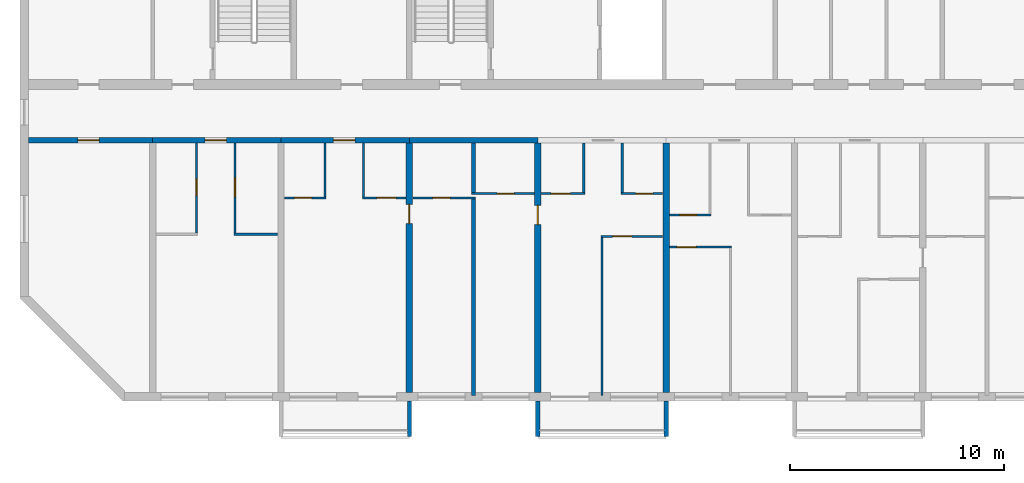
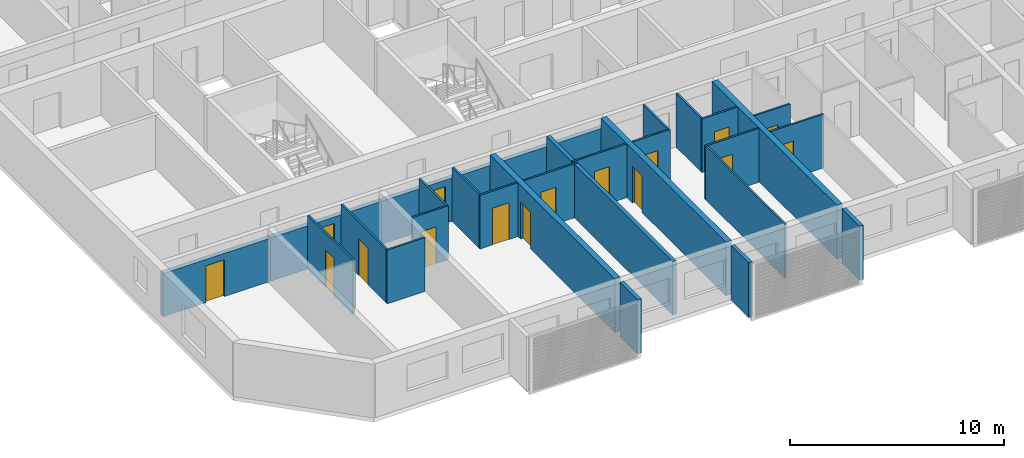
# One storey, part 2 of 33: 29 walls, 16 doors, 16 openings.
"""IFC4 building model written with IfcOpenShell, lengths in metres."""

from ifc_helpers import new_model, si_unit, direction, frame, frame_2d, origin, place, context, subcontext, project, spatial, polyline, rectangle, outline, extrude, source, transform, mapped, material, layer, layer_set, type_object, element, fill, save


model = new_model("IFC4")

# Units and contexts
model_context = context("Model", 3, precision=1e-05, world=origin(), true_north=direction((0.0, 1.0)))
body_context = subcontext(model_context, "Body", "Model", "MODEL_VIEW")
ifc_project = project(units=[si_unit("LENGTHUNIT", "METRE"), si_unit("AREAUNIT", "SQUARE_METRE"), si_unit("VOLUMEUNIT", "CUBIC_METRE"), si_unit("PLANEANGLEUNIT", "RADIAN"), si_unit("MASSUNIT", "GRAM", prefix="KILO")], contexts=[model_context])

# Site, building, storey
site_placement = place(None, origin())
site = spatial("IfcSite", under=ifc_project, at=site_placement, CompositionType="ELEMENT")
building_placement = place(site_placement, origin())
building = spatial("IfcBuilding", under=site, at=building_placement, Name="Poui Terraces", CompositionType="ELEMENT")
storey_placement = place(building_placement, frame((0.0, 0.0, 132.300048828125)))
storey = spatial("IfcBuildingStorey", under=building, at=storey_placement, Name="L36", CompositionType="ELEMENT", Elevation=132.300048828125)

# Wall, opening, door
ifc_material_1 = material(Name="Concrete 65 MPa", Category="concrete")
ifc_layer_1 = layer(ifc_material_1, 0.25)
ifc_layer_set_1 = layer_set([ifc_layer_1], Name="Concrete 65 MPa")
wall_type_1 = type_object("IfcWallType", Name="CORRIDOR WALL 250 65MPa", PredefinedType="SHEAR", material=ifc_layer_set_1)
wall_1_placement = place(storey_placement, frame((12.199951171875, 12.0, 0.0), z_axis=(0.0, 0.0, 1.0), x_axis=(1.0, 0.0, 0.0)))
wall_1 = element("IfcWall", 1, at=wall_1_placement, inside=storey, type_object=wall_type_1, Name="CORRIDOR WALL LINE B BAY 1", PredefinedType="SHEAR", context=body_context, shape_type="SweptSolid", body=[
    extrude(rectangle(XDim=5.800048828125, YDim=0.25, at=frame_2d((2.89990234375, 0.0))), origin(), (0.0, 0.0, 1.0), 2.469970703125),
])
opening_1_placement = place(wall_1_placement, frame((2.300048828125, 0.0, 0.0)))
opening_1 = element("IfcOpeningElement", 2, at=opening_1_placement, cuts=wall_1, Name="Opening D100", PredefinedType="OPENING", context=body_context, shape_type="SweptSolid", body=[
    extrude(rectangle(XDim=1.0, YDim=2.10009765625, at=frame_2d((0.5, 1.050048828125))), frame((0.0, 0.135009765625, 0.0), z_axis=(0.0, -1.0, 0.0), x_axis=(1.0, 0.0, 0.0)), (0.0, 0.0, 1.0), 0.27001953125),
])
ifc_material_2 = material(Name="Solid core timber door", Category="wood")
door_type_1 = type_object("IfcDoorType", Name="ACCESSIBLE INTERNAL DOOR 1000 X 2100", OperationType="NOTDEFINED", PredefinedType="DOOR", material=ifc_material_2)
door_1_placement = place(opening_1_placement, frame((1.0, 0.0, 0.0), z_axis=(0.0, 0.0, 1.0), x_axis=(-1.0, 0.0, 0.0)))
door_1 = element("IfcDoor", 3, at=door_1_placement, inside=storey, type_object=door_type_1, Name="ACCESSIBLE INTERNAL DOOR 074", OperationType="SINGLE_SWING_RIGHT", OverallHeight=2.10009765625, OverallWidth=1.0, PredefinedType="DOOR", context=body_context, shape_type="SweptSolid", body=[
    extrude(rectangle(XDim=1.0, YDim=2.10009765625, at=frame_2d((0.5, 1.050048828125))), frame((0.0, 0.02490234375, 0.0), z_axis=(0.0, -1.0, 0.0), x_axis=(1.0, 0.0, 0.0)), (0.0, 0.0, 1.0), 0.050048828125),
])
fill(opening_1, door_1)

wall_2_placement = place(storey_placement, frame((18.0, 12.0, 0.0), z_axis=(0.0, 0.0, 1.0), x_axis=(1.0, 0.0, 0.0)))
wall_2 = element("IfcWall", 4, at=wall_2_placement, inside=storey, type_object=wall_type_1, Name="CORRIDOR WALL LINE B BAY 2", PredefinedType="SHEAR", context=body_context, shape_type="SweptSolid", body=[
    extrude(rectangle(XDim=6.0, YDim=0.25, at=frame_2d((3.0, 0.0))), origin(), (0.0, 0.0, 1.0), 2.469970703125),
])
opening_2_placement = place(wall_2_placement, frame((2.449951171875, 0.0, 0.0)))
opening_2 = element("IfcOpeningElement", 5, at=opening_2_placement, cuts=wall_2, Name="Opening FD30S", PredefinedType="OPENING", context=body_context, shape_type="SweptSolid", body=[
    extrude(rectangle(XDim=1.0, YDim=2.10009765625, at=frame_2d((0.5, 1.050048828125))), frame((0.0, 0.135009765625, 0.0), z_axis=(0.0, -1.0, 0.0), x_axis=(1.0, 0.0, 0.0)), (0.0, 0.0, 1.0), 0.27001953125),
])
ifc_material_3 = material(Name="Steel fire door", Category="steel")
door_type_2 = type_object("IfcDoorType", Name="FLAT ENTRANCE DOOR 1000 X 2100", OperationType="NOTDEFINED", PredefinedType="DOOR", material=ifc_material_3)
door_2_placement = place(opening_2_placement, frame((1.0, 0.0, 0.0), z_axis=(0.0, 0.0, 1.0), x_axis=(-1.0, 0.0, 0.0)))
door_2 = element("IfcDoor", 6, at=door_2_placement, inside=storey, type_object=door_type_2, Name="FLAT ENTRANCE DOOR 076", OperationType="SINGLE_SWING_RIGHT", OverallHeight=2.10009765625, OverallWidth=1.0, PredefinedType="DOOR", context=body_context, shape_type="SweptSolid", body=[
    extrude(rectangle(XDim=1.0, YDim=2.10009765625, at=frame_2d((0.5, 1.050048828125))), frame((0.0, 0.02490234375, 0.0), z_axis=(0.0, -1.0, 0.0), x_axis=(1.0, 0.0, 0.0)), (0.0, 0.0, 1.0), 0.050048828125),
])
fill(opening_2, door_2)

wall_3_placement = place(storey_placement, frame((24.0, 12.0, 0.0), z_axis=(0.0, 0.0, 1.0), x_axis=(1.0, 0.0, 0.0)))
wall_3 = element("IfcWall", 7, at=wall_3_placement, inside=storey, type_object=wall_type_1, Name="CORRIDOR WALL LINE B BAY 3", PredefinedType="SHEAR", context=body_context, shape_type="SweptSolid", body=[
    extrude(rectangle(XDim=6.0, YDim=0.25, at=frame_2d((3.0, 0.0))), origin(), (0.0, 0.0, 1.0), 2.469970703125),
])
opening_3_placement = place(wall_3_placement, frame((2.449951171875, 0.0, 0.0)))
opening_3 = element("IfcOpeningElement", 8, at=opening_3_placement, cuts=wall_3, Name="Opening FD30S", PredefinedType="OPENING", context=body_context, shape_type="SweptSolid", body=[
    extrude(rectangle(XDim=1.0, YDim=2.10009765625, at=frame_2d((0.5, 1.050048828125))), frame((0.0, 0.135009765625, 0.0), z_axis=(0.0, -1.0, 0.0), x_axis=(1.0, 0.0, 0.0)), (0.0, 0.0, 1.0), 0.27001953125),
])
door_3_placement = place(opening_3_placement, frame((1.0, 0.0, 0.0), z_axis=(0.0, 0.0, 1.0), x_axis=(-1.0, 0.0, 0.0)))
door_3 = element("IfcDoor", 9, at=door_3_placement, inside=storey, type_object=door_type_2, Name="FLAT ENTRANCE DOOR 080", OperationType="SINGLE_SWING_RIGHT", OverallHeight=2.10009765625, OverallWidth=1.0, PredefinedType="DOOR", context=body_context, shape_type="SweptSolid", body=[
    extrude(rectangle(XDim=1.0, YDim=2.10009765625, at=frame_2d((0.5, 1.050048828125))), frame((0.0, 0.02490234375, 0.0), z_axis=(0.0, -1.0, 0.0), x_axis=(1.0, 0.0, 0.0)), (0.0, 0.0, 1.0), 0.050048828125),
])
fill(opening_3, door_3)

# Wall
wall_4_placement = place(storey_placement, frame((30.0, 12.0, 0.0), z_axis=(0.0, 0.0, 1.0), x_axis=(1.0, 0.0, 0.0)))
element("IfcWall", 10, at=wall_4_placement, inside=storey, type_object=wall_type_1, Name="CORRIDOR WALL LINE B BAY 4", PredefinedType="SHEAR", context=body_context, shape_type="SweptSolid", body=[
    extrude(rectangle(XDim=6.0, YDim=0.25, at=frame_2d((3.0, 0.0))), origin(), (0.0, 0.0, 1.0), 2.469970703125),
])

# Wall, opening, door
ifc_layer_2 = layer(ifc_material_1, 0.300048828125)
ifc_layer_set_2 = layer_set([ifc_layer_2], Name="Concrete 65 MPa")
wall_type_2 = type_object("IfcWallType", Name="CROSS WALL 300 65MPa", PredefinedType="SHEAR", material=ifc_layer_set_2)
wall_5_placement = place(storey_placement, frame((30.0, 0.199951171875, 0.0), z_axis=(0.0, 0.0, 1.0), x_axis=(0.0, 1.0, 0.0)))
wall_5 = element("IfcWall", 11, at=wall_5_placement, inside=storey, type_object=wall_type_2, Name="CROSS WALL LINE 6 SOUTH", PredefinedType="SHEAR", context=body_context, shape_type="SweptSolid", body=[
    extrude(rectangle(XDim=11.675048828125, YDim=0.300048828125, at=frame_2d((5.83740234375, 0.0))), origin(), (0.0, 0.0, 1.0), 3.070068359375),
])
opening_4_placement = place(wall_5_placement, frame((7.89990234375, 0.0, 0.0)))
opening_4 = element("IfcOpeningElement", 12, at=opening_4_placement, cuts=wall_5, Name="Opening D90", PredefinedType="OPENING", context=body_context, shape_type="SweptSolid", body=[
    extrude(rectangle(XDim=0.89990234375, YDim=2.10009765625, at=frame_2d((0.449951171875, 1.050048828125))), frame((0.0, 0.16015625, 0.0), z_axis=(0.0, -1.0, 0.0), x_axis=(1.0, 0.0, 0.0)), (0.0, 0.0, 1.0), 0.320068359375),
])
door_type_3 = type_object("IfcDoorType", Name="INTERNAL DOOR 900 X 2100", OperationType="NOTDEFINED", PredefinedType="DOOR", material=ifc_material_2)
door_4_placement = place(opening_4_placement, frame((0.89990234375, 0.0, 0.0), z_axis=(0.0, 0.0, 1.0), x_axis=(-1.0, 0.0, 0.0)))
door_4 = element("IfcDoor", 13, at=door_4_placement, inside=storey, type_object=door_type_3, Name="INTERNAL DOOR 082", OperationType="SINGLE_SWING_LEFT", OverallHeight=2.10009765625, OverallWidth=0.89990234375, PredefinedType="DOOR", context=body_context, shape_type="SweptSolid", body=[
    extrude(rectangle(XDim=0.89990234375, YDim=2.10009765625, at=frame_2d((0.449951171875, 1.050048828125))), frame((0.0, 0.02490234375, 0.0), z_axis=(0.0, -1.0, 0.0), x_axis=(1.0, 0.0, 0.0)), (0.0, 0.0, 1.0), 0.050048828125),
])
fill(opening_4, door_4)

wall_6_placement = place(storey_placement, frame((36.0, 0.199951171875, 0.0), z_axis=(0.0, 0.0, 1.0), x_axis=(0.0, 1.0, 0.0)))
wall_6 = element("IfcWall", 14, at=wall_6_placement, inside=storey, type_object=wall_type_2, Name="CROSS WALL LINE 7 SOUTH", PredefinedType="SHEAR", context=body_context, shape_type="SweptSolid", body=[
    extrude(rectangle(XDim=11.675048828125, YDim=0.300048828125, at=frame_2d((5.83740234375, 0.0))), origin(), (0.0, 0.0, 1.0), 3.070068359375),
])
opening_5_placement = place(wall_6_placement, frame((7.85009765625, 0.0, 0.0)))
opening_5 = element("IfcOpeningElement", 15, at=opening_5_placement, cuts=wall_6, Name="Opening D90", PredefinedType="OPENING", context=body_context, shape_type="SweptSolid", body=[
    extrude(rectangle(XDim=0.89990234375, YDim=2.10009765625, at=frame_2d((0.449951171875, 1.050048828125))), frame((0.0, 0.16015625, 0.0), z_axis=(0.0, -1.0, 0.0), x_axis=(1.0, 0.0, 0.0)), (0.0, 0.0, 1.0), 0.320068359375),
])
door_5_placement = place(opening_5_placement, origin())
door_5 = element("IfcDoor", 16, at=door_5_placement, inside=storey, type_object=door_type_3, Name="INTERNAL DOOR 084", OperationType="SINGLE_SWING_RIGHT", OverallHeight=2.10009765625, OverallWidth=0.89990234375, PredefinedType="DOOR", context=body_context, shape_type="SweptSolid", body=[
    extrude(rectangle(XDim=0.89990234375, YDim=2.10009765625, at=frame_2d((0.449951171875, 1.050048828125))), frame((0.0, 0.02490234375, 0.0), z_axis=(0.0, -1.0, 0.0), x_axis=(1.0, 0.0, 0.0)), (0.0, 0.0, 1.0), 0.050048828125),
])
fill(opening_5, door_5)

# Wall
wall_7_placement = place(storey_placement, frame((42.0, 0.199951171875, 0.0), z_axis=(0.0, 0.0, 1.0), x_axis=(0.0, 1.0, 0.0)))
element("IfcWall", 17, at=wall_7_placement, inside=storey, type_object=wall_type_2, Name="CROSS WALL LINE 8 SOUTH", PredefinedType="SHEAR", context=body_context, shape_type="SweptSolid", body=[
    extrude(rectangle(XDim=11.675048828125, YDim=0.300048828125, at=frame_2d((5.83740234375, 0.0))), origin(), (0.0, 0.0, 1.0), 3.070068359375),
])

# Wall, opening, door
ifc_material_4 = material(Name="Plasterboard partition")
ifc_layer_3 = layer(ifc_material_4, 0.10009765625)
ifc_layer_set_3 = layer_set([ifc_layer_3], Name="Plasterboard partition")
wall_type_3 = type_object("IfcWallType", Name="FLAT PARTITION 100", PredefinedType="PARTITIONING", material=ifc_layer_set_3)
wall_8_placement = place(storey_placement, frame((42.159912109375, 7.0, 0.0), z_axis=(0.0, 0.0, 1.0), x_axis=(1.0, 0.0, 0.0)))
wall_8 = element("IfcWall", 18, at=wall_8_placement, inside=storey, type_object=wall_type_3, Name="FLAT PARTITION 100", PredefinedType="PARTITIONING", context=body_context, shape_type="SweptSolid", body=[
    extrude(rectangle(XDim=2.89013671875, YDim=0.10009765625, at=frame_2d((1.445068359375, 0.0))), origin(), (0.0, 0.0, 1.0), 3.070068359375),
])
opening_6_placement = place(wall_8_placement, frame((0.340087890625, 0.0, 0.0)))
opening_6 = element("IfcOpeningElement", 19, at=opening_6_placement, cuts=wall_8, Name="Opening D90", PredefinedType="OPENING", context=body_context, shape_type="SweptSolid", body=[
    extrude(rectangle(XDim=0.89990234375, YDim=2.10009765625, at=frame_2d((0.449951171875, 1.050048828125))), frame((0.0, 0.06005859375, 0.0), z_axis=(0.0, -1.0, 0.0), x_axis=(1.0, 0.0, 0.0)), (0.0, 0.0, 1.0), 0.1201171875),
])
door_6_placement = place(opening_6_placement, origin())
door_6 = element("IfcDoor", 20, at=door_6_placement, inside=storey, type_object=door_type_3, Name="INTERNAL DOOR 089", OperationType="SINGLE_SWING_RIGHT", OverallHeight=2.10009765625, OverallWidth=0.89990234375, PredefinedType="DOOR", context=body_context, shape_type="SweptSolid", body=[
    extrude(rectangle(XDim=0.89990234375, YDim=2.10009765625, at=frame_2d((0.449951171875, 1.050048828125))), frame((0.0, 0.02490234375, 0.0), z_axis=(0.0, -1.0, 0.0), x_axis=(1.0, 0.0, 0.0)), (0.0, 0.0, 1.0), 0.050048828125),
])
fill(opening_6, door_6)

wall_9_placement = place(storey_placement, frame((38.949951171875, 7.5, 0.0), z_axis=(0.0, 0.0, 1.0), x_axis=(1.0, 0.0, 0.0)))
wall_9 = element("IfcWall", 21, at=wall_9_placement, inside=storey, type_object=wall_type_3, Name="FLAT PARTITION 100", PredefinedType="PARTITIONING", context=body_context, shape_type="SweptSolid", body=[
    extrude(rectangle(XDim=2.89013671875, YDim=0.10009765625, at=frame_2d((1.445068359375, 0.0))), origin(), (0.0, 0.0, 1.0), 3.070068359375),
])
opening_7_placement = place(wall_9_placement, frame((0.550048828125, 0.0, 0.0)))
opening_7 = element("IfcOpeningElement", 22, at=opening_7_placement, cuts=wall_9, Name="Opening D90", PredefinedType="OPENING", context=body_context, shape_type="SweptSolid", body=[
    extrude(rectangle(XDim=0.89990234375, YDim=2.10009765625, at=frame_2d((0.449951171875, 1.050048828125))), frame((0.0, 0.06005859375, 0.0), z_axis=(0.0, -1.0, 0.0), x_axis=(1.0, 0.0, 0.0)), (0.0, 0.0, 1.0), 0.1201171875),
])
door_7_placement = place(opening_7_placement, origin())
door_7 = element("IfcDoor", 23, at=door_7_placement, inside=storey, type_object=door_type_3, Name="INTERNAL DOOR 087", OperationType="SINGLE_SWING_RIGHT", OverallHeight=2.10009765625, OverallWidth=0.89990234375, PredefinedType="DOOR", context=body_context, shape_type="SweptSolid", body=[
    extrude(rectangle(XDim=0.89990234375, YDim=2.10009765625, at=frame_2d((0.449951171875, 1.050048828125))), frame((0.0, 0.02490234375, 0.0), z_axis=(0.0, -1.0, 0.0), x_axis=(1.0, 0.0, 0.0)), (0.0, 0.0, 1.0), 0.050048828125),
])
fill(opening_7, door_7)

# Wall
wall_10_placement = place(storey_placement, frame((21.800048828125, 7.60009765625, 0.0), z_axis=(0.0, 0.0, 1.0), x_axis=(1.0, 0.0, 0.0)))
element("IfcWall", 24, at=wall_10_placement, inside=storey, type_object=wall_type_3, Name="FLAT PARTITION 100", PredefinedType="PARTITIONING", context=body_context, shape_type="SweptSolid", body=[
    extrude(rectangle(XDim=2.0400390625, YDim=0.10009765625, at=frame_2d((1.02001953125, 0.0))), origin(), (0.0, 0.0, 1.0), 3.070068359375),
])

# Wall, opening, door
wall_11_placement = place(storey_placement, frame((42.159912109375, 8.5, 0.0), z_axis=(0.0, 0.0, 1.0), x_axis=(1.0, 0.0, 0.0)))
wall_11 = element("IfcWall", 25, at=wall_11_placement, inside=storey, type_object=wall_type_3, Name="FLAT PARTITION 100", PredefinedType="PARTITIONING", context=body_context, shape_type="SweptSolid", body=[
    extrude(rectangle(XDim=1.940185546875, YDim=0.10009765625, at=frame_2d((0.97021484375, 0.0))), origin(), (0.0, 0.0, 1.0), 3.070068359375),
])
opening_8_placement = place(wall_11_placement, frame((0.465087890625, 0.0, 0.0)))
opening_8 = element("IfcOpeningElement", 26, at=opening_8_placement, cuts=wall_11, Name="Opening D80", PredefinedType="OPENING", context=body_context, shape_type="SweptSolid", body=[
    extrude(rectangle(XDim=0.800048828125, YDim=2.10009765625, at=frame_2d((0.39990234375, 1.050048828125))), frame((0.0, 0.06005859375, 0.0), z_axis=(0.0, -1.0, 0.0), x_axis=(1.0, 0.0, 0.0)), (0.0, 0.0, 1.0), 0.1201171875),
])
door_type_4 = type_object("IfcDoorType", Name="BATHROOM, LAUNDRY AND STORE DOOR 800 X 2100", OperationType="NOTDEFINED", PredefinedType="DOOR", material=ifc_material_2)
door_8_placement = place(opening_8_placement, origin())
door_8 = element("IfcDoor", 27, at=door_8_placement, inside=storey, type_object=door_type_4, Name="BATHROOM, LAUNDRY AND STORE DOOR 090", OperationType="SINGLE_SWING_LEFT", OverallHeight=2.10009765625, OverallWidth=0.800048828125, PredefinedType="DOOR", context=body_context, shape_type="SweptSolid", body=[
    extrude(rectangle(XDim=0.800048828125, YDim=2.10009765625, at=frame_2d((0.39990234375, 1.050048828125))), frame((0.0, 0.02490234375, 0.0), z_axis=(0.0, -1.0, 0.0), x_axis=(1.0, 0.0, 0.0)), (0.0, 0.0, 1.0), 0.050048828125),
])
fill(opening_8, door_8)

wall_12_placement = place(storey_placement, frame((24.159912109375, 9.300048828125, 0.0), z_axis=(0.0, 0.0, 1.0), x_axis=(1.0, 0.0, 0.0)))
wall_12 = element("IfcWall", 28, at=wall_12_placement, inside=storey, type_object=wall_type_3, Name="FLAT PARTITION 100", PredefinedType="PARTITIONING", context=body_context, shape_type="SweptSolid", body=[
    extrude(rectangle(XDim=1.940185546875, YDim=0.10009765625, at=frame_2d((0.97021484375, 0.0))), origin(), (0.0, 0.0, 1.0), 3.070068359375),
])
opening_9_placement = place(wall_12_placement, frame((0.465087890625, 0.0, 0.0)))
opening_9 = element("IfcOpeningElement", 29, at=opening_9_placement, cuts=wall_12, Name="Opening D80", PredefinedType="OPENING", context=body_context, shape_type="SweptSolid", body=[
    extrude(rectangle(XDim=0.800048828125, YDim=2.10009765625, at=frame_2d((0.39990234375, 1.050048828125))), frame((0.0, 0.06005859375, 0.0), z_axis=(0.0, -1.0, 0.0), x_axis=(1.0, 0.0, 0.0)), (0.0, 0.0, 1.0), 0.1201171875),
])
door_9_placement = place(opening_9_placement, origin())
door_9 = element("IfcDoor", 30, at=door_9_placement, inside=storey, type_object=door_type_4, Name="BATHROOM, LAUNDRY AND STORE DOOR 079", OperationType="SINGLE_SWING_RIGHT", OverallHeight=2.10009765625, OverallWidth=0.800048828125, PredefinedType="DOOR", context=body_context, shape_type="SweptSolid", body=[
    extrude(rectangle(XDim=0.800048828125, YDim=2.10009765625, at=frame_2d((0.39990234375, 1.050048828125))), frame((0.0, 0.02490234375, 0.0), z_axis=(0.0, -1.0, 0.0), x_axis=(1.0, 0.0, 0.0)), (0.0, 0.0, 1.0), 0.050048828125),
])
fill(opening_9, door_9)

wall_13_placement = place(storey_placement, frame((27.800048828125, 9.300048828125, 0.0), z_axis=(0.0, 0.0, 1.0), x_axis=(1.0, 0.0, 0.0)))
wall_13 = element("IfcWall", 31, at=wall_13_placement, inside=storey, type_object=wall_type_3, Name="FLAT PARTITION 100", PredefinedType="PARTITIONING", context=body_context, shape_type="SweptSolid", body=[
    extrude(rectangle(XDim=2.0400390625, YDim=0.10009765625, at=frame_2d((1.02001953125, 0.0))), origin(), (0.0, 0.0, 1.0), 3.070068359375),
])
opening_10_placement = place(wall_13_placement, frame((0.675048828125, 0.0, 0.0)))
opening_10 = element("IfcOpeningElement", 32, at=opening_10_placement, cuts=wall_13, Name="Opening D90", PredefinedType="OPENING", context=body_context, shape_type="SweptSolid", body=[
    extrude(rectangle(XDim=0.89990234375, YDim=2.10009765625, at=frame_2d((0.449951171875, 1.050048828125))), frame((0.0, 0.06005859375, 0.0), z_axis=(0.0, -1.0, 0.0), x_axis=(1.0, 0.0, 0.0)), (0.0, 0.0, 1.0), 0.1201171875),
])
door_10_placement = place(opening_10_placement, origin())
door_10 = element("IfcDoor", 33, at=door_10_placement, inside=storey, type_object=door_type_3, Name="INTERNAL DOOR 081", OperationType="SINGLE_SWING_LEFT", OverallHeight=2.10009765625, OverallWidth=0.89990234375, PredefinedType="DOOR", context=body_context, shape_type="SweptSolid", body=[
    extrude(rectangle(XDim=0.89990234375, YDim=2.10009765625, at=frame_2d((0.449951171875, 1.050048828125))), frame((0.0, 0.02490234375, 0.0), z_axis=(0.0, -1.0, 0.0), x_axis=(1.0, 0.0, 0.0)), (0.0, 0.0, 1.0), 0.050048828125),
])
fill(opening_10, door_10)

wall_14_placement = place(storey_placement, frame((30.159912109375, 9.300048828125, 0.0), z_axis=(0.0, 0.0, 1.0), x_axis=(1.0, 0.0, 0.0)))
wall_14 = element("IfcWall", 34, at=wall_14_placement, inside=storey, type_object=wall_type_3, Name="FLAT PARTITION 100", PredefinedType="PARTITIONING", context=body_context, shape_type="SweptSolid", body=[
    extrude(rectangle(XDim=2.940185546875, YDim=0.10009765625, at=frame_2d((1.47021484375, 0.0))), origin(), (0.0, 0.0, 1.0), 3.070068359375),
])
opening_11_placement = place(wall_14_placement, frame((0.93994140625, 0.0, 0.0)))
opening_11 = element("IfcOpeningElement", 35, at=opening_11_placement, cuts=wall_14, Name="Opening D80", PredefinedType="OPENING", context=body_context, shape_type="SweptSolid", body=[
    extrude(rectangle(XDim=0.800048828125, YDim=2.10009765625, at=frame_2d((0.39990234375, 1.050048828125))), frame((0.0, 0.06005859375, 0.0), z_axis=(0.0, -1.0, 0.0), x_axis=(1.0, 0.0, 0.0)), (0.0, 0.0, 1.0), 0.1201171875),
])
door_11_placement = place(opening_11_placement, origin())
door_11 = element("IfcDoor", 36, at=door_11_placement, inside=storey, type_object=door_type_4, Name="BATHROOM, LAUNDRY AND STORE DOOR 078", OperationType="SINGLE_SWING_LEFT", OverallHeight=2.10009765625, OverallWidth=0.800048828125, PredefinedType="DOOR", context=body_context, shape_type="SweptSolid", body=[
    extrude(rectangle(XDim=0.800048828125, YDim=2.10009765625, at=frame_2d((0.39990234375, 1.050048828125))), frame((0.0, 0.02490234375, 0.0), z_axis=(0.0, -1.0, 0.0), x_axis=(1.0, 0.0, 0.0)), (0.0, 0.0, 1.0), 0.050048828125),
])
fill(opening_11, door_11)

wall_15_placement = place(storey_placement, frame((32.89990234375, 9.5, 0.0), z_axis=(0.0, 0.0, 1.0), x_axis=(1.0, 0.0, 0.0)))
wall_15 = element("IfcWall", 37, at=wall_15_placement, inside=storey, type_object=wall_type_3, Name="FLAT PARTITION 100", PredefinedType="PARTITIONING", context=body_context, shape_type="SweptSolid", body=[
    extrude(rectangle(XDim=2.940185546875, YDim=0.10009765625, at=frame_2d((1.47021484375, 0.0))), origin(), (0.0, 0.0, 1.0), 3.070068359375),
])
opening_12_placement = place(wall_15_placement, frame((1.199951171875, 0.0, 0.0)))
opening_12 = element("IfcOpeningElement", 38, at=opening_12_placement, cuts=wall_15, Name="Opening D80", PredefinedType="OPENING", context=body_context, shape_type="SweptSolid", body=[
    extrude(rectangle(XDim=0.800048828125, YDim=2.10009765625, at=frame_2d((0.39990234375, 1.050048828125))), frame((0.0, 0.06005859375, 0.0), z_axis=(0.0, -1.0, 0.0), x_axis=(1.0, 0.0, 0.0)), (0.0, 0.0, 1.0), 0.1201171875),
])
door_12_placement = place(opening_12_placement, origin())
door_12 = element("IfcDoor", 39, at=door_12_placement, inside=storey, type_object=door_type_4, Name="BATHROOM, LAUNDRY AND STORE DOOR 083", OperationType="SINGLE_SWING_RIGHT", OverallHeight=2.10009765625, OverallWidth=0.800048828125, PredefinedType="DOOR", context=body_context, shape_type="SweptSolid", body=[
    extrude(rectangle(XDim=0.800048828125, YDim=2.10009765625, at=frame_2d((0.39990234375, 1.050048828125))), frame((0.0, 0.02490234375, 0.0), z_axis=(0.0, -1.0, 0.0), x_axis=(1.0, 0.0, 0.0)), (0.0, 0.0, 1.0), 0.050048828125),
])
fill(opening_12, door_12)

wall_16_placement = place(storey_placement, frame((36.159912109375, 9.5, 0.0), z_axis=(0.0, 0.0, 1.0), x_axis=(1.0, 0.0, 0.0)))
wall_16 = element("IfcWall", 40, at=wall_16_placement, inside=storey, type_object=wall_type_3, Name="FLAT PARTITION 100", PredefinedType="PARTITIONING", context=body_context, shape_type="SweptSolid", body=[
    extrude(rectangle(XDim=2.0400390625, YDim=0.10009765625, at=frame_2d((1.02001953125, 0.0))), origin(), (0.0, 0.0, 1.0), 3.070068359375),
])
opening_13_placement = place(wall_16_placement, frame((0.465087890625, 0.0, 0.0)))
opening_13 = element("IfcOpeningElement", 41, at=opening_13_placement, cuts=wall_16, Name="Opening D90", PredefinedType="OPENING", context=body_context, shape_type="SweptSolid", body=[
    extrude(rectangle(XDim=0.89990234375, YDim=2.10009765625, at=frame_2d((0.449951171875, 1.050048828125))), frame((0.0, 0.06005859375, 0.0), z_axis=(0.0, -1.0, 0.0), x_axis=(1.0, 0.0, 0.0)), (0.0, 0.0, 1.0), 0.1201171875),
])
door_13_placement = place(opening_13_placement, origin())
door_13 = element("IfcDoor", 42, at=door_13_placement, inside=storey, type_object=door_type_3, Name="INTERNAL DOOR 085", OperationType="SINGLE_SWING_RIGHT", OverallHeight=2.10009765625, OverallWidth=0.89990234375, PredefinedType="DOOR", context=body_context, shape_type="SweptSolid", body=[
    extrude(rectangle(XDim=0.89990234375, YDim=2.10009765625, at=frame_2d((0.449951171875, 1.050048828125))), frame((0.0, 0.02490234375, 0.0), z_axis=(0.0, -1.0, 0.0), x_axis=(1.0, 0.0, 0.0)), (0.0, 0.0, 1.0), 0.050048828125),
])
fill(opening_13, door_13)

wall_17_placement = place(storey_placement, frame((39.89990234375, 9.5, 0.0), z_axis=(0.0, 0.0, 1.0), x_axis=(1.0, 0.0, 0.0)))
wall_17 = element("IfcWall", 43, at=wall_17_placement, inside=storey, type_object=wall_type_3, Name="FLAT PARTITION 100", PredefinedType="PARTITIONING", context=body_context, shape_type="SweptSolid", body=[
    extrude(rectangle(XDim=1.940185546875, YDim=0.10009765625, at=frame_2d((0.97021484375, 0.0))), origin(), (0.0, 0.0, 1.0), 3.070068359375),
])
opening_14_placement = place(wall_17_placement, frame((0.675048828125, 0.0, 0.0)))
opening_14 = element("IfcOpeningElement", 44, at=opening_14_placement, cuts=wall_17, Name="Opening D80", PredefinedType="OPENING", context=body_context, shape_type="SweptSolid", body=[
    extrude(rectangle(XDim=0.800048828125, YDim=2.10009765625, at=frame_2d((0.39990234375, 1.050048828125))), frame((0.0, 0.06005859375, 0.0), z_axis=(0.0, -1.0, 0.0), x_axis=(1.0, 0.0, 0.0)), (0.0, 0.0, 1.0), 0.1201171875),
])
door_14_placement = place(opening_14_placement, origin())
door_14 = element("IfcDoor", 45, at=door_14_placement, inside=storey, type_object=door_type_4, Name="BATHROOM, LAUNDRY AND STORE DOOR 088", OperationType="SINGLE_SWING_LEFT", OverallHeight=2.10009765625, OverallWidth=0.800048828125, PredefinedType="DOOR", context=body_context, shape_type="SweptSolid", body=[
    extrude(rectangle(XDim=0.800048828125, YDim=2.10009765625, at=frame_2d((0.39990234375, 1.050048828125))), frame((0.0, 0.02490234375, 0.0), z_axis=(0.0, -1.0, 0.0), x_axis=(1.0, 0.0, 0.0)), (0.0, 0.0, 1.0), 0.050048828125),
])
fill(opening_14, door_14)

wall_18_placement = place(storey_placement, frame((20.050048828125, 7.64990234375, 0.0), z_axis=(0.0, 0.0, 1.0), x_axis=(0.0, 1.0, 0.0)))
wall_18 = element("IfcWall", 46, at=wall_18_placement, inside=storey, type_object=wall_type_3, Name="FLAT PARTITION 100", PredefinedType="PARTITIONING", context=body_context, shape_type="SweptSolid", body=[
    extrude(rectangle(XDim=4.215087890625, YDim=0.10009765625, at=frame_2d((2.107421875, 0.0))), origin(), (0.0, 0.0, 1.0), 3.070068359375),
])
opening_15_placement = place(wall_18_placement, frame((1.75, 0.0, 0.0)))
opening_15 = element("IfcOpeningElement", 47, at=opening_15_placement, cuts=wall_18, Name="Opening D80", PredefinedType="OPENING", context=body_context, shape_type="SweptSolid", body=[
    extrude(rectangle(XDim=0.800048828125, YDim=2.10009765625, at=frame_2d((0.39990234375, 1.050048828125))), frame((0.0, 0.06005859375, 0.0), z_axis=(0.0, -1.0, 0.0), x_axis=(1.0, 0.0, 0.0)), (0.0, 0.0, 1.0), 0.1201171875),
])
door_15_placement = place(opening_15_placement, origin())
door_15 = element("IfcDoor", 48, at=door_15_placement, inside=storey, type_object=door_type_4, Name="BATHROOM, LAUNDRY AND STORE DOOR 075", OperationType="SINGLE_SWING_LEFT", OverallHeight=2.10009765625, OverallWidth=0.800048828125, PredefinedType="DOOR", context=body_context, shape_type="SweptSolid", body=[
    extrude(rectangle(XDim=0.800048828125, YDim=2.10009765625, at=frame_2d((0.39990234375, 1.050048828125))), frame((0.0, 0.02490234375, 0.0), z_axis=(0.0, -1.0, 0.0), x_axis=(1.0, 0.0, 0.0)), (0.0, 0.0, 1.0), 0.050048828125),
])
fill(opening_15, door_15)

wall_19_placement = place(storey_placement, frame((21.85009765625, 7.64990234375, 0.0), z_axis=(0.0, 0.0, 1.0), x_axis=(0.0, 1.0, 0.0)))
wall_19 = element("IfcWall", 49, at=wall_19_placement, inside=storey, type_object=wall_type_3, Name="FLAT PARTITION 100", PredefinedType="PARTITIONING", context=body_context, shape_type="SweptSolid", body=[
    extrude(rectangle(XDim=4.215087890625, YDim=0.10009765625, at=frame_2d((2.107421875, 0.0))), origin(), (0.0, 0.0, 1.0), 3.070068359375),
])
opening_16_placement = place(wall_19_placement, frame((1.699951171875, 0.0, 0.0)))
opening_16 = element("IfcOpeningElement", 50, at=opening_16_placement, cuts=wall_19, Name="Opening D90", PredefinedType="OPENING", context=body_context, shape_type="SweptSolid", body=[
    extrude(rectangle(XDim=0.89990234375, YDim=2.10009765625, at=frame_2d((0.449951171875, 1.050048828125))), frame((0.0, 0.06005859375, 0.0), z_axis=(0.0, -1.0, 0.0), x_axis=(1.0, 0.0, 0.0)), (0.0, 0.0, 1.0), 0.1201171875),
])
door_16_placement = place(opening_16_placement, frame((0.89990234375, 0.0, 0.0), z_axis=(0.0, 0.0, 1.0), x_axis=(-1.0, 0.0, 0.0)))
door_16 = element("IfcDoor", 51, at=door_16_placement, inside=storey, type_object=door_type_3, Name="INTERNAL DOOR 077", OperationType="SINGLE_SWING_LEFT", OverallHeight=2.10009765625, OverallWidth=0.89990234375, PredefinedType="DOOR", context=body_context, shape_type="SweptSolid", body=[
    extrude(rectangle(XDim=0.89990234375, YDim=2.10009765625, at=frame_2d((0.449951171875, 1.050048828125))), frame((0.0, 0.02490234375, 0.0), z_axis=(0.0, -1.0, 0.0), x_axis=(1.0, 0.0, 0.0)), (0.0, 0.0, 1.0), 0.050048828125),
])
fill(opening_16, door_16)

# Walls
for number, where, z_axis, x_axis, name in (
    (52, (26.050048828125, 9.35009765625, 0.0), (0.0, 0.0, 1.0), (0.0, 1.0, 0.0), "FLAT PARTITION 100"),
    (53, (27.85009765625, 9.35009765625, 0.0), (0.0, 0.0, 1.0), (0.0, 1.0, 0.0), "FLAT PARTITION 100"),
):
    element("IfcWall", number, at=place(storey_placement, frame(where, z_axis=z_axis, x_axis=x_axis)), inside=storey, type_object=wall_type_3, Name=name, PredefinedType="PARTITIONING", context=body_context, shape_type="SweptSolid", body=[
        extrude(rectangle(XDim=2.514892578125, YDim=0.10009765625, at=frame_2d((1.25732421875, 0.0))), origin(), (0.0, 0.0, 1.0), 3.070068359375),
    ])
wall_20_placement = place(storey_placement, frame((38.14990234375, 9.550048828125, 0.0), z_axis=(0.0, 0.0, 1.0), x_axis=(0.0, 1.0, 0.0)))
element("IfcWall", 54, at=wall_20_placement, inside=storey, type_object=wall_type_3, Name="FLAT PARTITION 100", PredefinedType="PARTITIONING", context=body_context, shape_type="SweptSolid", body=[
    extrude(rectangle(XDim=2.31494140625, YDim=0.10009765625, at=frame_2d((1.157470703125, 0.0))), origin(), (0.0, 0.0, 1.0), 3.070068359375),
])
wall_21_placement = place(storey_placement, frame((39.0, 0.06005859375, 0.0), z_axis=(0.0, 0.0, 1.0), x_axis=(0.0, 1.0, 0.0)))
element("IfcWall", 55, at=wall_21_placement, inside=storey, type_object=wall_type_3, Name="FLAT PARTITION 100", PredefinedType="PARTITIONING", context=body_context, shape_type="SweptSolid", body=[
    extrude(rectangle(XDim=7.389892578125, YDim=0.10009765625, at=frame_2d((3.69482421875, 0.0))), origin(), (0.0, 0.0, 1.0), 3.070068359375),
])
wall_22_placement = place(storey_placement, frame((39.949951171875, 9.550048828125, 0.0), z_axis=(0.0, 0.0, 1.0), x_axis=(0.0, 1.0, 0.0)))
element("IfcWall", 56, at=wall_22_placement, inside=storey, type_object=wall_type_3, Name="FLAT PARTITION 100", PredefinedType="PARTITIONING", context=body_context, shape_type="SweptSolid", body=[
    extrude(rectangle(XDim=2.31494140625, YDim=0.10009765625, at=frame_2d((1.157470703125, 0.0))), origin(), (0.0, 0.0, 1.0), 3.070068359375),
])
ifc_material_5 = material(Name="Fire-rated masonry wall", Category="masonry")
ifc_layer_4 = layer(ifc_material_5, 0.199951171875)
ifc_layer_set_4 = layer_set([ifc_layer_4], Name="Fire-rated masonry wall")
wall_type_4 = type_object("IfcWallType", Name="FLAT PARTY WALL 200", PredefinedType="PARTITIONING", material=ifc_layer_set_4)
wall_23_placement = place(storey_placement, frame((33.0, 0.06005859375, 0.0), z_axis=(0.0, 0.0, 1.0), x_axis=(0.0, 1.0, 0.0)))
element("IfcWall", 57, at=wall_23_placement, inside=storey, type_object=wall_type_4, Name="FLAT PARTY WALL 200", PredefinedType="PARTITIONING", context=body_context, shape_type="SweptSolid", body=[
    extrude(rectangle(XDim=9.18994140625, YDim=0.199951171875, at=frame_2d((4.594970703125, 0.0))), origin(), (0.0, 0.0, 1.0), 3.070068359375),
])
wall_24_placement = place(storey_placement, frame((33.0, 9.550048828125, 0.0), z_axis=(0.0, 0.0, 1.0), x_axis=(0.0, 1.0, 0.0)))
element("IfcWall", 58, at=wall_24_placement, inside=storey, type_object=wall_type_4, Name="FLAT PARTY WALL 200", PredefinedType="PARTITIONING", context=body_context, shape_type="SweptSolid", body=[
    extrude(rectangle(XDim=2.31494140625, YDim=0.199951171875, at=frame_2d((1.157470703125, 0.0))), origin(), (0.0, 0.0, 1.0), 3.070068359375),
])
ifc_material_6 = material(Name="Precast concrete 40 MPa", Category="concrete")
ifc_layer_5 = layer(ifc_material_6, 0.199951171875)
ifc_layer_set_5 = layer_set([ifc_layer_5], Name="Precast concrete 40 MPa")
wall_type_5 = type_object("IfcWallType", Name="REAR FIN 200", PredefinedType="STANDARD", material=ifc_layer_set_5)
shared_shape = source(origin(), body_context, "Body", "SweptSolid", [
    extrude(outline(polyline([(0.0, 0.0), (0.2001953125, 0.0), (0.2001953125, 1.650146484375), (0.0, 1.650146484375), (0.0, 0.0)])), origin(), (0.0, 0.0, 1.0), 3.099853515625),
])
for number, where, name in (
    (59, (29.89990234375, -1.85009765625, 0.0), "REAR FIN"),
    (60, (35.89990234375, -1.85009765625, 0.0), "REAR FIN"),
    (61, (41.89990234375, -1.85009765625, 0.0), "REAR FIN"),
):
    element("IfcWall", number, at=place(storey_placement, frame(where)), inside=storey, type_object=wall_type_5, Name=name, PredefinedType="STANDARD", context=body_context, shape_type="MappedRepresentation", body=[
        mapped(shared_shape, transform((0.0, 0.0, 0.0))),
    ])

save(model, "model.ifc")
